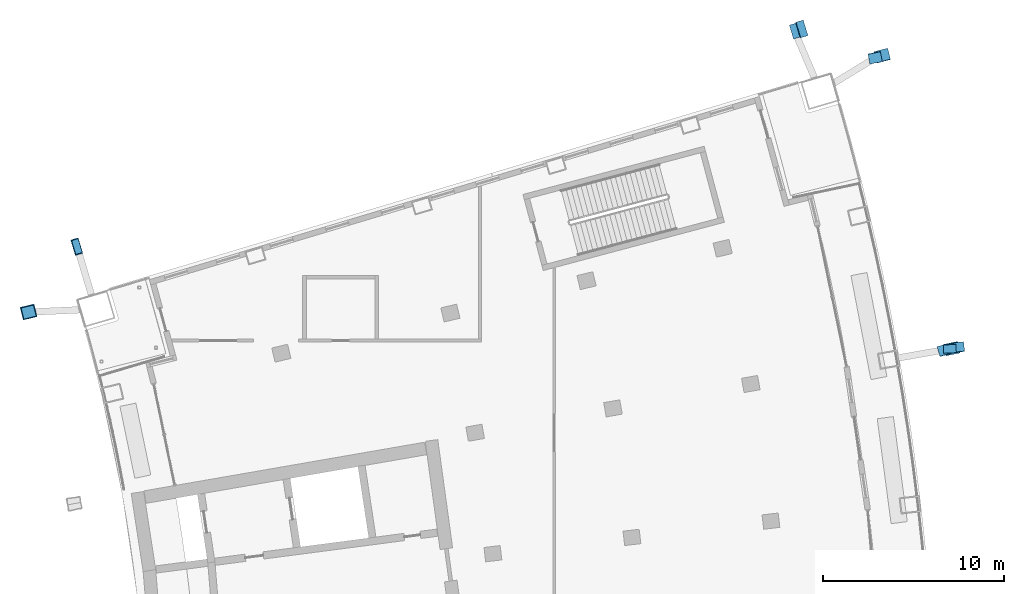
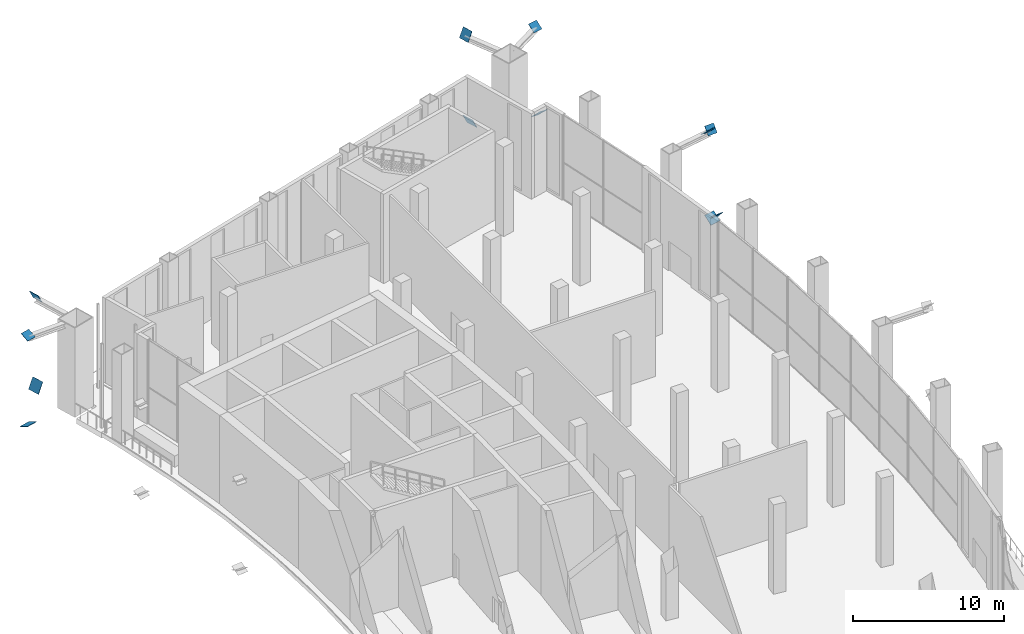
# One storey, part 21 of 26: 12 discrete accessories.
"""IFC4 building model written with IfcOpenShell, lengths in metres."""

from ifc_helpers import new_model, si_unit, direction, frame, origin, origin_2d, place, context, subcontext, project, spatial, rectangle, extrude, material, material_profile, profile_set, type_object, element, save


model = new_model("IFC4")

# Units and contexts
model_context = context("Model", 3, precision=1e-05, world=origin(), true_north=direction((0.0, 1.0)))
body_context = subcontext(model_context, "Body", "Model", "MODEL_VIEW")
ifc_project = project(units=[si_unit("LENGTHUNIT", "METRE"), si_unit("AREAUNIT", "SQUARE_METRE"), si_unit("VOLUMEUNIT", "CUBIC_METRE"), si_unit("PLANEANGLEUNIT", "RADIAN"), si_unit("MASSUNIT", "GRAM", prefix="KILO")], contexts=[model_context])

# Site, building, storey
site_placement = place(None, origin())
site = spatial("IfcSite", under=ifc_project, at=site_placement, CompositionType="ELEMENT")
building_placement = place(site_placement, origin())
building = spatial("IfcBuilding", under=site, at=building_placement, Name="Alderwake Tower", CompositionType="ELEMENT")
storey_placement = place(building_placement, frame((0.0, 0.0, 182.0)))
storey = spatial("IfcBuildingStorey", under=building, at=storey_placement, Name="L45", CompositionType="ELEMENT", Elevation=182.0)

# Discrete accessories
ifc_material_1 = material(Name="Steel ASTM A572 Grade 50", Category="steel")
ifc_material_profile_1 = material_profile(ifc_material_1, rectangle(XDim=0.699951171875, YDim=0.699951171875, at=origin_2d()), Name="BOX 700X700X45 cap")
ifc_profile_set_1 = profile_set([ifc_material_profile_1], Name="Steel ASTM A572 Grade 50")
discrete_accessory_type_1 = type_object("IfcDiscreteAccessoryType", Name="End cap plate BOX 700X700X45", PredefinedType="USERDEFINED", material=ifc_profile_set_1)
for number, where, z_axis, x_axis, name in (
    (1, (60.25732421875, 85.798583984375, 7.199951171875), (-0.040724498871, 0.757475678997, -0.651591981933), (-0.998557871823, -0.053685907087, 0.0), "End cap BRF4.1.7B1 S"),
    (2, (59.9658203125, 85.747314453125, 7.199951171875), (0.17127028554, -0.587212407567, -0.791105604639), (0.96, 0.28, 0.0), "End cap BRF4.1.10A S"),
):
    element("IfcDiscreteAccessory", number, at=place(storey_placement, frame(where, z_axis=z_axis, x_axis=x_axis)), inside=storey, type_object=discrete_accessory_type_1, Name=name, ObjectType="END CAP", PredefinedType="USERDEFINED", context=body_context, shape_type="SweptSolid", body=[
        extrude(rectangle(XDim=0.699951171875, YDim=0.699951171875, at=origin_2d()), origin(), (0.0, 0.0, 1.0), 0.030029296875),
    ])
discrete_accessory_1_placement = place(storey_placement, frame((56.1337890625, 101.871337890625, 7.199951171875), z_axis=(-0.114561835219, 0.597358140783, -0.7937498583), x_axis=(-0.982102279235, -0.188348382319, 0.0)))
element("IfcDiscreteAccessory", 3, at=discrete_accessory_1_placement, inside=storey, type_object=discrete_accessory_type_1, Name="End cap BRF4.1.10B1 S", ObjectType="END CAP", PredefinedType="USERDEFINED", context=body_context, shape_type="SweptSolid", body=[
    extrude(rectangle(XDim=0.699951171875, YDim=0.699951171875, at=origin_2d()), origin(), (0.0, 0.0, 1.0), 0.02978515625),
])
discrete_accessory_2_placement = place(storey_placement, frame((9.359619140625, 87.828369140625, 7.199951171875), z_axis=(-0.105869651339, 0.43162242469, -0.895820126716), x_axis=(-0.971210844098, -0.238221527798, 0.0)))
element("IfcDiscreteAccessory", 4, at=discrete_accessory_2_placement, inside=storey, type_object=discrete_accessory_type_1, Name="End cap BRR4.1.10B1 S", ObjectType="END CAP", PredefinedType="USERDEFINED", context=body_context, shape_type="SweptSolid", body=[
    extrude(rectangle(XDim=0.699951171875, YDim=0.699951171875, at=origin_2d()), origin(), (0.0, 0.0, 1.0), 0.030029296875),
])
ifc_material_2 = material(Name="Steel ASTM A572 Grade 50", Category="steel")
ifc_material_profile_2 = material_profile(ifc_material_2, rectangle(XDim=0.800048828125, YDim=0.800048828125, at=origin_2d()), Name="BOX 800X800X50 cap")
ifc_profile_set_2 = profile_set([ifc_material_profile_2], Name="Steel ASTM A572 Grade 50")
discrete_accessory_type_2 = type_object("IfcDiscreteAccessoryType", Name="End cap plate BOX 800X800X50", PredefinedType="USERDEFINED", material=ifc_profile_set_2)
for number, where, z_axis, x_axis, name in (
    (5, (60.65283203125, 85.86865234375, 0.0), (-0.081747814399, 0.752079892473, 0.653982515194), (-0.994144463069, -0.108059180768, 0.0), "End cap BRF3.2.7A N"),
    (6, (56.517578125, 101.986572265625, 0.0), (-0.155372771556, 0.588781029054, 0.793218886364), (-0.966900358349, -0.255154261231, 0.0), "End cap BRF3.2.10A N"),
    (7, (60.360595703125, 85.81689453125, 0.0), (0.122625819028, -0.596778985937, 0.792980296383), (0.979534918634, 0.20127429835, 0.0), "End cap BRF3.2.10B2 N"),
):
    element("IfcDiscreteAccessory", number, at=place(storey_placement, frame(where, z_axis=z_axis, x_axis=x_axis)), inside=storey, type_object=discrete_accessory_type_2, Name=name, ObjectType="END CAP", PredefinedType="USERDEFINED", context=body_context, shape_type="SweptSolid", body=[
        extrude(rectangle(XDim=0.800048828125, YDim=0.800048828125, at=origin_2d()), origin(), (0.0, 0.0, 1.0), 0.02978515625),
    ])
for number, where, z_axis, x_axis, name in (
    (8, (9.359619140625, 87.828369140625, 0.0), (-0.105869651339, 0.43162242469, 0.895820126716), (-0.971210844098, -0.238221527798, 0.0), "End cap BRR3.2.10A N"),
    (9, (12.031005859375, 91.449462890625, 7.199951171875), (-0.845193327069, -0.251932626338, -0.471357817019), (0.285656661543, -0.958332025822, 0.0), "End cap BRN4.1.0A S"),
    (10, (51.6826171875, 103.35400390625, 7.199951171875), (0.850683618609, 0.251154211208, -0.461799678673), (-0.283155210121, 0.959074098796, 0.0), "End cap BRN4.1.0B1 S"),
):
    element("IfcDiscreteAccessory", number, at=place(storey_placement, frame(where, z_axis=z_axis, x_axis=x_axis)), inside=storey, type_object=discrete_accessory_type_2, Name=name, ObjectType="END CAP", PredefinedType="USERDEFINED", context=body_context, shape_type="SweptSolid", body=[
        extrude(rectangle(XDim=0.800048828125, YDim=0.800048828125, at=origin_2d()), origin(), (0.0, 0.0, 1.0), 0.030029296875),
    ])
ifc_material_3 = material(Name="Steel ASTM A572 Grade 50", Category="steel")
ifc_material_profile_3 = material_profile(ifc_material_3, rectangle(XDim=0.89990234375, YDim=0.89990234375, at=origin_2d()), Name="BOX 900X900X55 cap")
ifc_profile_set_3 = profile_set([ifc_material_profile_3], Name="Steel ASTM A572 Grade 50")
discrete_accessory_type_3 = type_object("IfcDiscreteAccessoryType", Name="End cap plate BOX 900X900X55", PredefinedType="USERDEFINED", material=ifc_profile_set_3)
discrete_accessory_3_placement = place(storey_placement, frame((52.06591796875, 103.468994140625, 0.0), z_axis=(0.846648435185, 0.260507210826, 0.464028469284), x_axis=(-0.294085848838, 0.955779008722, 0.0)))
element("IfcDiscreteAccessory", 11, at=discrete_accessory_3_placement, inside=storey, type_object=discrete_accessory_type_3, Name="End cap BRN3.2.0A N", ObjectType="END CAP", PredefinedType="USERDEFINED", context=body_context, shape_type="SweptSolid", body=[
    extrude(rectangle(XDim=0.89990234375, YDim=0.89990234375, at=origin_2d()), origin(), (0.0, 0.0, 1.0), 0.030029296875),
])
discrete_accessory_4_placement = place(storey_placement, frame((12.031005859375, 91.449462890625, 0.0), z_axis=(-0.851629762001, -0.253851179058, 0.458569871847), x_axis=(0.285656661543, -0.958332025822, 0.0)))
element("IfcDiscreteAccessory", 12, at=discrete_accessory_4_placement, inside=storey, type_object=discrete_accessory_type_3, Name="End cap BRN3.2.0B2 N", ObjectType="END CAP", PredefinedType="USERDEFINED", context=body_context, shape_type="SweptSolid", body=[
    extrude(rectangle(XDim=0.89990234375, YDim=0.89990234375, at=origin_2d()), origin(), (0.0, 0.0, 1.0), 0.02978515625),
])

save(model, "model.ifc")
